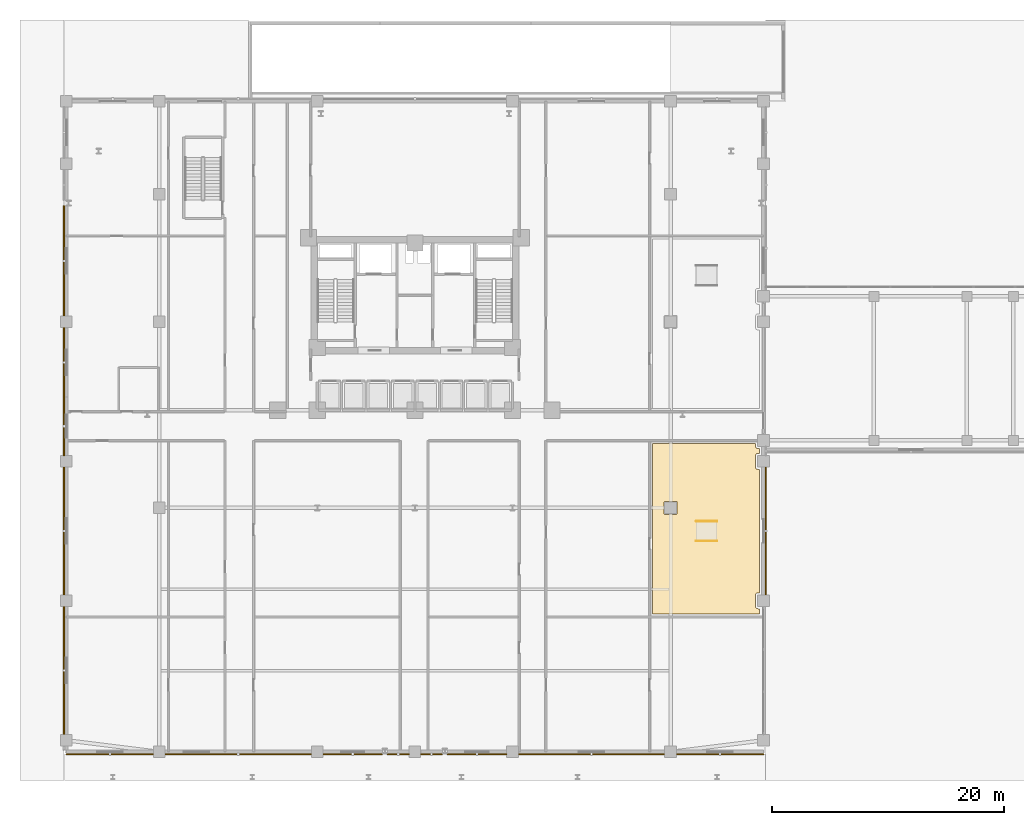
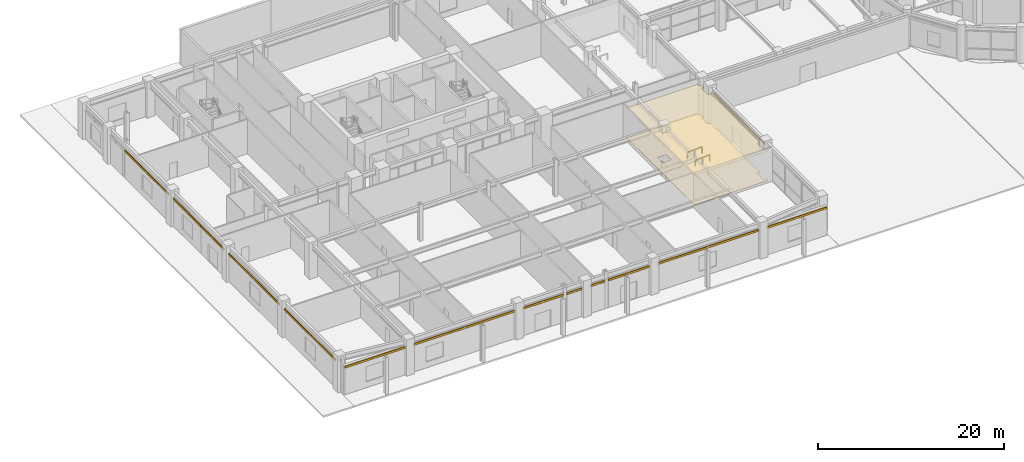
# One storey, part 35 of 40: 14 shading devices, 2 coverings, 2 railings.
"""IFC4 building model written with IfcOpenShell, lengths in metres."""

from ifc_helpers import new_model, si_unit, derived_unit, direction, frame, origin, origin_2d, place, context, subcontext, project, spatial, polyline, hollow_rectangle, circle, outline, extrude, source, transform, mapped, material, layer, layer_set, material_profile, profile_set, type_object, element, save


model = new_model("IFC4")

# Units and contexts
model_context = context("Model", 3, precision=1e-05, world=origin(), true_north=direction((0.0, 1.0)))
body_context = subcontext(model_context, "Body", "Model", "MODEL_VIEW")
ifc_project = project(units=[si_unit("LENGTHUNIT", "METRE"), si_unit("AREAUNIT", "SQUARE_METRE"), si_unit("VOLUMEUNIT", "CUBIC_METRE"), si_unit("PLANEANGLEUNIT", "RADIAN"), si_unit("MASSUNIT", "GRAM", prefix="KILO"), derived_unit("THERMALTRANSMITTANCEUNIT", [(si_unit("POWERUNIT", "WATT"), 1), (si_unit("LENGTHUNIT", "METRE"), -2), (si_unit("THERMODYNAMICTEMPERATUREUNIT", "KELVIN"), -1)])], contexts=[model_context])

# Site, building, storey
site_placement = place(None, origin())
site = spatial("IfcSite", under=ifc_project, at=site_placement, CompositionType="ELEMENT")
building_placement = place(site_placement, origin())
building = spatial("IfcBuilding", under=site, at=building_placement, Name="Korsvarv Bourse and Concert Hall", CompositionType="ELEMENT")
storey_placement = place(building_placement, origin())
storey = spatial("IfcBuildingStorey", under=building, at=storey_placement, Name="L00", CompositionType="ELEMENT", Elevation=0.0)

# Coverings
ifc_material_1 = material(Name="Perforated mineral-wool and birch acoustic baffle ceiling", Category="wood")
ifc_layer_1 = layer(ifc_material_1, 0.02490234375)
ifc_layer_set_1 = layer_set([ifc_layer_1], Name="Perforated mineral-wool and birch acoustic baffle ceiling")
covering_type_1 = type_object("IfcCoveringType", Name="COV-CEIL-1", PredefinedType="CEILING", material=ifc_layer_set_1)
covering_1_placement = place(storey_placement, frame((0.0, 0.0, 3.89990234375)))
element("IfcCovering", 1, at=covering_1_placement, inside=storey, type_object=covering_type_1, Name="L00 acoustic baffle ceiling 2", PredefinedType="CEILING", context=body_context, shape_type="SweptSolid", body=[
    extrude(outline(polyline([(56.449951171875, 29.52001953125), (65.31005859375, 29.52001953125), (65.31005859375, 29.300048828125), (65.313232421875, 29.265380859375), (65.3232421875, 29.232421875), (65.33935546875, 29.20166015625), (65.36083984375, 29.174560546875), (65.38720703125, 29.152099609375), (65.41748046875, 29.13525390625), (65.450439453125, 29.12451171875), (65.48486328125, 29.1201171875), (65.659912109375, 29.114990234375), (65.659912109375, 28.68994140625), (65.5, 28.68994140625), (65.465087890625, 28.6865234375), (65.431396484375, 28.676513671875), (65.400634765625, 28.659912109375), (65.373291015625, 28.637939453125), (65.35107421875, 28.61083984375), (65.334228515625, 28.580078125), (65.32373046875, 28.546630859375), (65.320068359375, 28.51171875), (65.31005859375, 27.501708984375), (65.31298828125, 27.467041015625), (65.32275390625, 27.43359375), (65.338623046875, 27.402587890625), (65.3603515625, 27.375244140625), (65.38671875, 27.3525390625), (65.417236328125, 27.33544921875), (65.4501953125, 27.324462890625), (65.48486328125, 27.320068359375), (65.659912109375, 27.315185546875), (65.659912109375, 16.68994140625), (65.5, 16.68994140625), (65.465087890625, 16.6865234375), (65.431396484375, 16.676513671875), (65.400634765625, 16.659912109375), (65.373291015625, 16.637939453125), (65.35107421875, 16.61083984375), (65.334228515625, 16.580078125), (65.32373046875, 16.546630859375), (65.320068359375, 16.51171875), (65.31005859375, 15.501708984375), (65.31298828125, 15.467041015625), (65.32275390625, 15.43359375), (65.338623046875, 15.402587890625), (65.3603515625, 15.375244140625), (65.38671875, 15.3525390625), (65.417236328125, 15.33544921875), (65.4501953125, 15.324462890625), (65.48486328125, 15.320068359375), (65.659912109375, 15.315185546875), (65.659912109375, 14.85009765625), (56.449951171875, 14.85009765625), (56.449951171875, 29.52001953125)]), holes=[polyline([(57.476318359375, 23.455810546875), (57.5, 23.449951171875), (58.5, 23.449951171875), (58.523681640625, 23.455810546875), (58.54150390625, 23.47216796875), (58.5498046875, 23.4951171875), (58.550048828125, 24.5), (58.544189453125, 24.523681640625), (58.52783203125, 24.54150390625), (58.5048828125, 24.5498046875), (57.5, 24.550048828125), (57.476318359375, 24.544189453125), (57.45849609375, 24.52783203125), (57.4501953125, 24.5048828125), (57.449951171875, 23.5), (57.455810546875, 23.476318359375), (57.476318359375, 23.455810546875)])]), origin(), (0.0, 0.0, 1.0), 0.025146484375),
])
ifc_material_2 = material(Name="Calcium-sulphate raised access trading floor with Nordic oak top", Category="wood")
ifc_layer_2 = layer(ifc_material_2, 0.0400390625)
ifc_layer_set_2 = layer_set([ifc_layer_2], Name="Calcium-sulphate raised access trading floor with Nordic oak top")
covering_type_2 = type_object("IfcCoveringType", Name="COV-FLOR-1", PredefinedType="FLOORING", material=ifc_layer_set_2)
covering_2_placement = place(storey_placement, origin())
element("IfcCovering", 2, at=covering_2_placement, inside=storey, type_object=covering_type_2, Name="L00 raised access oak floor finish 2", PredefinedType="FLOORING", context=body_context, shape_type="SweptSolid", body=[
    extrude(outline(polyline([(56.449951171875, 29.52001953125), (65.31005859375, 29.52001953125), (65.31005859375, 29.300048828125), (65.313232421875, 29.265380859375), (65.3232421875, 29.232421875), (65.33935546875, 29.20166015625), (65.36083984375, 29.174560546875), (65.38720703125, 29.152099609375), (65.41748046875, 29.13525390625), (65.450439453125, 29.12451171875), (65.48486328125, 29.1201171875), (65.659912109375, 29.114990234375), (65.659912109375, 28.68994140625), (65.5, 28.68994140625), (65.465087890625, 28.6865234375), (65.431396484375, 28.676513671875), (65.400634765625, 28.659912109375), (65.373291015625, 28.637939453125), (65.35107421875, 28.61083984375), (65.334228515625, 28.580078125), (65.32373046875, 28.546630859375), (65.320068359375, 28.51171875), (65.31005859375, 27.501708984375), (65.31298828125, 27.467041015625), (65.32275390625, 27.43359375), (65.338623046875, 27.402587890625), (65.3603515625, 27.375244140625), (65.38671875, 27.3525390625), (65.417236328125, 27.33544921875), (65.4501953125, 27.324462890625), (65.48486328125, 27.320068359375), (65.659912109375, 27.315185546875), (65.659912109375, 16.68994140625), (65.5, 16.68994140625), (65.465087890625, 16.6865234375), (65.431396484375, 16.676513671875), (65.400634765625, 16.659912109375), (65.373291015625, 16.637939453125), (65.35107421875, 16.61083984375), (65.334228515625, 16.580078125), (65.32373046875, 16.546630859375), (65.320068359375, 16.51171875), (65.31005859375, 15.501708984375), (65.31298828125, 15.467041015625), (65.32275390625, 15.43359375), (65.338623046875, 15.402587890625), (65.3603515625, 15.375244140625), (65.38671875, 15.3525390625), (65.417236328125, 15.33544921875), (65.4501953125, 15.324462890625), (65.48486328125, 15.320068359375), (65.659912109375, 15.315185546875), (65.659912109375, 14.85009765625), (56.449951171875, 14.85009765625), (56.449951171875, 29.52001953125)]), holes=[polyline([(57.476318359375, 23.455810546875), (57.5, 23.449951171875), (58.5, 23.449951171875), (58.523681640625, 23.455810546875), (58.54150390625, 23.47216796875), (58.5498046875, 23.4951171875), (58.550048828125, 24.5), (58.544189453125, 24.523681640625), (58.52783203125, 24.54150390625), (58.5048828125, 24.5498046875), (57.5, 24.550048828125), (57.476318359375, 24.544189453125), (57.45849609375, 24.52783203125), (57.4501953125, 24.5048828125), (57.449951171875, 23.5), (57.455810546875, 23.476318359375), (57.476318359375, 23.455810546875)])]), origin(), (0.0, 0.0, 1.0), 0.0400390625),
])

# Railings
ifc_material_3 = material(Name="Brushed stainless Steel S355 tubular handrail", Category="steel")
railing_type = type_object("IfcRailingType", Name="RL-ST-HND", PredefinedType="HANDRAIL", material=ifc_material_3)
for number, where, name in (
    (3, (60.199951171875, 21.14990234375, -0.1201171875), "L00 accessible ramp handrail S"),
    (4, (60.199951171875, 22.85009765625, -0.1201171875), "L00 accessible ramp handrail N"),
):
    element("IfcRailing", number, at=place(storey_placement, frame(where)), inside=storey, type_object=railing_type, Name=name, PredefinedType="HANDRAIL", context=body_context, shape_type="SweptSolid", body=[
        extrude(circle(Radius=0.02392578125, at=origin_2d()), frame((0.0, 0.0, 0.89599609375), z_axis=(0.997780964268, 0.0, 0.0665818845), x_axis=(0.0, 1.0, 0.0)), (0.0, 0.0, 1.0), 1.803955078125),
        extrude(circle(Radius=0.02099609375, at=origin_2d()), origin(), (0.0, 0.0, 1.0), 0.871826171875),
        extrude(circle(Radius=0.02099609375, at=origin_2d()), frame((0.89990234375, 0.0, 0.06005859375)), (0.0, 0.0, 1.0), 0.871826171875),
        extrude(circle(Radius=0.02099609375, at=origin_2d()), frame((1.800048828125, 0.0, 0.1201171875)), (0.0, 0.0, 1.0), 0.871826171875),
    ])

# Shading devices
ifc_material_4 = material(Name="Glazed extruded architectural terracotta", Category="ceramic")
ifc_material_profile = material_profile(ifc_material_4, hollow_rectangle(XDim=0.090087890625, YDim=0.260009765625, WallThickness=0.011962890625, at=origin_2d()), Name="TC-BAG 90x260")
ifc_profile_set = profile_set([ifc_material_profile], Name="Glazed extruded architectural terracotta")
shading_device_type = type_object("IfcShadingDeviceType", Name="SHD-BAG-1", PredefinedType="USERDEFINED", material=ifc_profile_set)
shared_shape_1 = source(origin(), body_context, "Body", "SweptSolid", [
    extrude(hollow_rectangle(XDim=0.090087890625, YDim=0.260009765625, WallThickness=0.011962890625, at=origin_2d()), origin(), (0.0, 0.0, 1.0), 7.4951171875),
])
for number, where, z_axis, x_axis, name in (
    (5, (6.0, 2.804931640625, 3.659912109375), (1.0, 0.0, 0.0), (0.0, 1.0, 0.0), "L00 terracotta baguette sunshade EW-L00-S1"),
    (6, (58.5048828125, 2.804931640625, 3.659912109375), (1.0, 0.0, 0.0), (0.0, 1.0, 0.0), "L00 terracotta baguette sunshade EW-L00-S6"),
):
    element("IfcShadingDevice", number, at=place(storey_placement, frame(where, z_axis=z_axis, x_axis=x_axis)), inside=storey, type_object=shading_device_type, Name=name, ObjectType="BAGUETTE", PredefinedType="USERDEFINED", context=body_context, shape_type="MappedRepresentation", body=[
        mapped(shared_shape_1, transform((0.0, 0.0, 0.0), scale=1.0)),
    ])
shared_shape_2 = source(origin(), body_context, "Body", "SweptSolid", [
    extrude(hollow_rectangle(XDim=0.090087890625, YDim=0.260009765625, WallThickness=0.011962890625, at=origin_2d()), origin(), (0.0, 0.0, 1.0), 12.590087890625),
])
for number, where, z_axis, x_axis, name in (
    (7, (14.5048828125, 2.804931640625, 3.659912109375), (1.0, 0.0, 0.0), (0.0, 1.0, 0.0), "L00 terracotta baguette sunshade EW-L00-S2"),
    (8, (44.905029296875, 2.804931640625, 3.659912109375), (1.0, 0.0, 0.0), (0.0, 1.0, 0.0), "L00 terracotta baguette sunshade EW-L00-S5"),
):
    element("IfcShadingDevice", number, at=place(storey_placement, frame(where, z_axis=z_axis, x_axis=x_axis)), inside=storey, type_object=shading_device_type, Name=name, ObjectType="BAGUETTE", PredefinedType="USERDEFINED", context=body_context, shape_type="MappedRepresentation", body=[
        mapped(shared_shape_2, transform((0.0, 0.0, 0.0), scale=1.0)),
    ])
shared_shape_3 = source(origin(), body_context, "Body", "SweptSolid", [
    extrude(hollow_rectangle(XDim=0.090087890625, YDim=0.260009765625, WallThickness=0.011962890625, at=origin_2d()), origin(), (0.0, 0.0, 1.0), 5.09619140625),
])
for number, where, z_axis, x_axis, name in (
    (9, (28.10498046875, 2.804931640625, 3.659912109375), (1.0, 0.0, 0.0), (0.0, 1.0, 0.0), "L00 terracotta baguette sunshade EW-L00-S3-1"),
    (10, (38.798828125, 2.804931640625, 3.659912109375), (1.0, 0.0, 0.0), (0.0, 1.0, 0.0), "L00 terracotta baguette sunshade EW-L00-S4-2"),
):
    element("IfcShadingDevice", number, at=place(storey_placement, frame(where, z_axis=z_axis, x_axis=x_axis)), inside=storey, type_object=shading_device_type, Name=name, ObjectType="BAGUETTE", PredefinedType="USERDEFINED", context=body_context, shape_type="MappedRepresentation", body=[
        mapped(shared_shape_3, transform((0.0, 0.0, 0.0), scale=1.0)),
    ])
shared_shape_4 = source(origin(), body_context, "Body", "SweptSolid", [
    extrude(hollow_rectangle(XDim=0.090087890625, YDim=0.260009765625, WallThickness=0.011962890625, at=origin_2d()), origin(), (0.0, 0.0, 1.0), 1.860107421875),
])
for number, where, z_axis, x_axis, name in (
    (11, (33.635009765625, 2.804931640625, 3.659912109375), (1.0, 0.0, 0.0), (0.0, 1.0, 0.0), "L00 terracotta baguette sunshade EW-L00-S3-2"),
    (12, (36.5048828125, 2.804931640625, 3.659912109375), (1.0, 0.0, 0.0), (0.0, 1.0, 0.0), "L00 terracotta baguette sunshade EW-L00-S4-1"),
):
    element("IfcShadingDevice", number, at=place(storey_placement, frame(where, z_axis=z_axis, x_axis=x_axis)), inside=storey, type_object=shading_device_type, Name=name, ObjectType="BAGUETTE", PredefinedType="USERDEFINED", context=body_context, shape_type="MappedRepresentation", body=[
        mapped(shared_shape_4, transform((0.0, 0.0, 0.0), scale=1.0)),
    ])
shared_shape_5 = source(origin(), body_context, "Body", "SweptSolid", [
    extrude(hollow_rectangle(XDim=0.090087890625, YDim=0.260009765625, WallThickness=0.011962890625, at=origin_2d()), origin(), (0.0, 0.0, 1.0), 10.990234375),
])
for number, where, z_axis, x_axis, name in (
    (13, (5.804931640625, 4.5048828125, 3.659912109375), (0.0, 1.0, 0.0), (-1.0, 0.0, 0.0), "L00 terracotta baguette sunshade EW-L00-W1-2"),
    (14, (5.804931640625, 16.5048828125, 3.659912109375), (0.0, 1.0, 0.0), (-1.0, 0.0, 0.0), "L00 terracotta baguette sunshade EW-L00-W2"),
    (15, (66.195068359375, 16.5048828125, 3.659912109375), (0.0, 1.0, 0.0), (-1.0, 0.0, 0.0), "L00 terracotta baguette sunshade EW-L00-E2-1"),
):
    element("IfcShadingDevice", number, at=place(storey_placement, frame(where, z_axis=z_axis, x_axis=x_axis)), inside=storey, type_object=shading_device_type, Name=name, ObjectType="BAGUETTE", PredefinedType="USERDEFINED", context=body_context, shape_type="MappedRepresentation", body=[
        mapped(shared_shape_5, transform((0.0, 0.0, 0.0), scale=1.0)),
    ])
shared_shape_6 = source(origin(), body_context, "Body", "SweptSolid", [
    extrude(hollow_rectangle(XDim=0.090087890625, YDim=0.260009765625, WallThickness=0.011962890625, at=origin_2d()), origin(), (0.0, 0.0, 1.0), 5.03515625),
])
shading_device_1_placement = place(storey_placement, frame((5.804931640625, 28.5048828125, 3.659912109375), z_axis=(0.0, 1.0, 0.0), x_axis=(-1.0, 0.0, 0.0)))
element("IfcShadingDevice", 16, at=shading_device_1_placement, inside=storey, type_object=shading_device_type, Name="L00 terracotta baguette sunshade EW-L00-W3", ObjectType="BAGUETTE", PredefinedType="USERDEFINED", context=body_context, shape_type="MappedRepresentation", body=[
    mapped(shared_shape_6, transform((0.0, 0.0, 0.0), scale=1.0)),
])
shared_shape_7 = source(origin(), body_context, "Body", "SweptSolid", [
    extrude(hollow_rectangle(XDim=0.090087890625, YDim=0.260009765625, WallThickness=0.011962890625, at=origin_2d()), origin(), (0.0, 0.0, 1.0), 5.955078125),
])
shading_device_2_placement = place(storey_placement, frame((5.804931640625, 33.5400390625, 3.659912109375), z_axis=(0.0, 1.0, 0.0), x_axis=(-1.0, 0.0, 0.0)))
element("IfcShadingDevice", 17, at=shading_device_2_placement, inside=storey, type_object=shading_device_type, Name="L00 terracotta baguette sunshade EW-L00-W4", ObjectType="BAGUETTE", PredefinedType="USERDEFINED", context=body_context, shape_type="MappedRepresentation", body=[
    mapped(shared_shape_7, transform((0.0, 0.0, 0.0), scale=1.0)),
])
shared_shape_8 = source(origin(), body_context, "Body", "SweptSolid", [
    extrude(hollow_rectangle(XDim=0.090087890625, YDim=0.260009765625, WallThickness=0.011962890625, at=origin_2d()), origin(), (0.0, 0.0, 1.0), 9.47021484375),
])
shading_device_3_placement = place(storey_placement, frame((5.804931640625, 40.5048828125, 3.659912109375), z_axis=(0.0, 1.0, 0.0), x_axis=(-1.0, 0.0, 0.0)))
element("IfcShadingDevice", 18, at=shading_device_3_placement, inside=storey, type_object=shading_device_type, Name="L00 terracotta baguette sunshade EW-L00-W5-1", ObjectType="BAGUETTE", PredefinedType="USERDEFINED", context=body_context, shape_type="MappedRepresentation", body=[
    mapped(shared_shape_8, transform((0.0, 0.0, 0.0), scale=1.0)),
])

save(model, "model.ifc")
